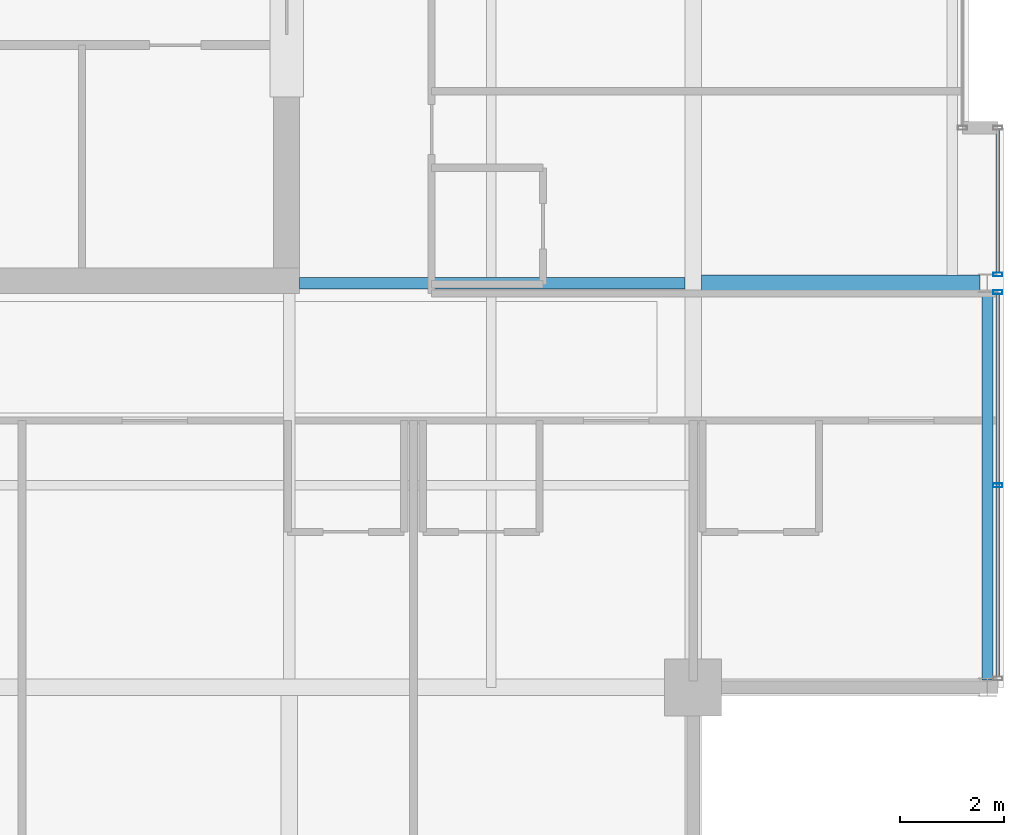
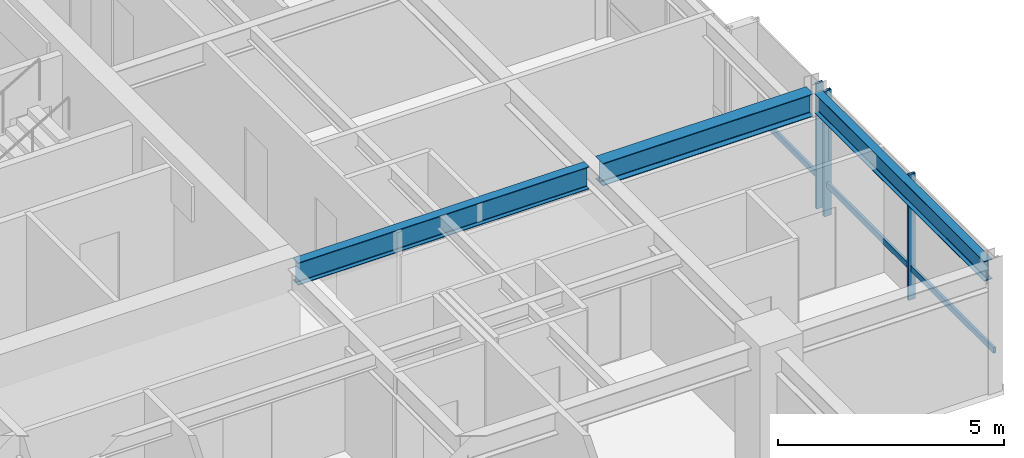
# One storey, part 17 of 34: 5 members, 3 beams, 2 elements without a shape of their own.
"""IFC4 building model written with IfcOpenShell, lengths in metres."""

from ifc_helpers import new_model, si_unit, direction, frame, origin, origin_2d, place, context, subcontext, project, spatial, hollow_rectangle, i_section, extrude, material, layer, layer_set, material_profile, profile_set, type_object, element, aggregate, save


model = new_model("IFC4")

# Units and contexts
model_context = context("Model", 3, precision=1e-05, world=origin(), true_north=direction((0.0, 1.0)))
body_context = subcontext(model_context, "Body", "Model", "MODEL_VIEW")
ifc_project = project(units=[si_unit("LENGTHUNIT", "METRE"), si_unit("AREAUNIT", "SQUARE_METRE"), si_unit("VOLUMEUNIT", "CUBIC_METRE"), si_unit("PLANEANGLEUNIT", "RADIAN"), si_unit("MASSUNIT", "GRAM", prefix="KILO")], contexts=[model_context])

# Site, building, storey
site_placement = place(None, origin())
site = spatial("IfcSite", under=ifc_project, at=site_placement, CompositionType="ELEMENT")
building_placement = place(site_placement, origin())
building = spatial("IfcBuilding", under=site, at=building_placement, Name="Drelvath Grand Hotel", CompositionType="ELEMENT")
storey_placement = place(building_placement, frame((0.0, 0.0, 272.300048828125)))
storey = spatial("IfcBuildingStorey", under=building, at=storey_placement, Name="L71", CompositionType="ELEMENT", Elevation=272.300048828125)

# Curtain wall, member
ifc_material_1 = material(Name="Platinum-Mist Anodised Aluminium Frame", Category="aluminium")
ifc_layer = layer(ifc_material_1, 0.199951171875)
ifc_layer_set = layer_set([ifc_layer], Name="Platinum-Mist Anodised Aluminium Frame")
curtain_wall_type = type_object("IfcCurtainWallType", Name="Stick Curtain Wall CW-05 Platinum Mist High-Rise", PredefinedType="NOTDEFINED", material=ifc_layer_set)
curtain_wall_1_placement = place(storey_placement, origin())
curtain_wall_1 = element("IfcCurtainWall", 1, at=curtain_wall_1_placement, inside=storey, type_object=curtain_wall_type, Name="L71 CW-05 Curtain Wall CW05-L71-ES1", PredefinedType="NOTDEFINED")
ifc_material_profile_1 = material_profile(ifc_material_1, hollow_rectangle(XDim=0.06494140625, YDim=0.159912109375, WallThickness=0.00390625, at=origin_2d()), Name="HSS160X65X4")
ifc_profile_set_1 = profile_set([ifc_material_profile_1], Name="Platinum-Mist Anodised Aluminium Frame")
member_type_1 = type_object("IfcMemberType", Name="Curtain Wall Horizontal Transom CW-05 HSS160X65X4", PredefinedType="USERDEFINED", material=ifc_profile_set_1)
member_1_placement = place(storey_placement, frame((22.080078125, 18.389892578125, 0.847412109375), z_axis=(0.0, -1.0, 0.0), x_axis=(1.0, 0.0, 0.0)))
member_1 = element("IfcMember", 2, at=member_1_placement, type_object=member_type_1, Name="CW05-L71-ES1 Sill Transom", ObjectType="TRANSOM", PredefinedType="USERDEFINED", context=body_context, shape_type="SweptSolid", body=[
    extrude(hollow_rectangle(XDim=0.06494140625, YDim=0.159912109375, WallThickness=0.00390625, at=origin_2d()), origin(), (0.0, 0.0, 1.0), 7.3798828125),
])

curtain_wall_2_placement = place(storey_placement, origin())
curtain_wall_2 = element("IfcCurtainWall", 3, at=curtain_wall_2_placement, inside=storey, type_object=curtain_wall_type, Name="L71 CW-05 Curtain Wall CW05-L71-ES2", PredefinedType="NOTDEFINED")
member_2_placement = place(storey_placement, frame((22.080078125, 21.56005859375, 0.847412109375), z_axis=(0.0, -1.0, 0.0), x_axis=(1.0, 0.0, 0.0)))
member_2 = element("IfcMember", 4, at=member_2_placement, type_object=member_type_1, Name="CW05-L71-ES2 Sill Transom", ObjectType="TRANSOM", PredefinedType="USERDEFINED", context=body_context, shape_type="SweptSolid", body=[
    extrude(hollow_rectangle(XDim=0.06494140625, YDim=0.159912109375, WallThickness=0.00390625, at=origin_2d()), origin(), (0.0, 0.0, 1.0), 2.75),
])

# Member
ifc_material_profile_2 = material_profile(ifc_material_1, hollow_rectangle(XDim=0.074951171875, YDim=0.179931640625, WallThickness=0.0048828125, at=origin_2d()), Name="HSS180X75X5")
ifc_profile_set_2 = profile_set([ifc_material_profile_2], Name="Platinum-Mist Anodised Aluminium Frame")
member_type_2 = type_object("IfcMemberType", Name="Curtain Wall Vertical Mullion CW-05 HSS180X75X5", PredefinedType="MULLION", material=ifc_profile_set_2)
member_3_placement = place(storey_placement, frame((22.080078125, 18.429931640625, 0.0), z_axis=(0.0, 0.0, 1.0), x_axis=(0.0, 1.0, 0.0)))
member_3 = element("IfcMember", 5, at=member_3_placement, type_object=member_type_2, Name="CW05-L71-ES1 Mullion 1", PredefinedType="MULLION", context=body_context, shape_type="SweptSolid", body=[
    extrude(hollow_rectangle(XDim=0.074951171875, YDim=0.179931640625, WallThickness=0.0048828125, at=origin_2d()), origin(), (0.0, 0.0, 1.0), 3.389892578125),
])

member_4_placement = place(storey_placement, frame((22.080078125, 14.7001953125, 0.0), z_axis=(0.0, 0.0, 1.0), x_axis=(0.0, 1.0, 0.0)))
member_4 = element("IfcMember", 6, at=member_4_placement, type_object=member_type_2, Name="CW05-L71-ES1 Mullion 2", PredefinedType="MULLION", context=body_context, shape_type="SweptSolid", body=[
    extrude(hollow_rectangle(XDim=0.074951171875, YDim=0.179931640625, WallThickness=0.0048828125, at=origin_2d()), origin(), (0.0, 0.0, 1.0), 3.389892578125),
])

aggregate(curtain_wall_1, [member_3, member_4, member_1])

member_5_placement = place(storey_placement, frame((22.080078125, 18.77001953125, 0.0), z_axis=(0.0, 0.0, 1.0), x_axis=(0.0, 1.0, 0.0)))
member_5 = element("IfcMember", 7, at=member_5_placement, type_object=member_type_2, Name="CW05-L71-ES2 Mullion 2", PredefinedType="MULLION", context=body_context, shape_type="SweptSolid", body=[
    extrude(hollow_rectangle(XDim=0.074951171875, YDim=0.179931640625, WallThickness=0.0048828125, at=origin_2d()), origin(), (0.0, 0.0, 1.0), 3.389892578125),
])

aggregate(curtain_wall_2, [member_5, member_2])

# Beams
ifc_material_2 = material(Name="Steel ASTM A992 Gr 50", Category="steel")
ifc_material_profile_3 = material_profile(ifc_material_2, i_section(OverallWidth=0.210205078125, OverallDepth=0.53662109375, WebThickness=0.010986328125, FlangeThickness=0.017333984375, FilletRadius=0.01806640625, at=origin_2d()), Name="W21X68")
ifc_profile_set_3 = profile_set([ifc_material_profile_3], Name="Steel ASTM A992 Gr 50")
beam_type_1 = type_object("IfcBeamType", Name="Perimeter Spandrel Beam W21X68", PredefinedType="SPANDREL", material=ifc_profile_set_3)
beam_1_placement = place(storey_placement, frame((21.8798828125, 10.93994140625, 3.12158203125), z_axis=(0.0, 1.0, 0.0), x_axis=(-1.0, 0.0, 0.0)))
element("IfcBeam", 8, at=beam_1_placement, inside=storey, type_object=beam_type_1, Name="L71 Spandrel East S", PredefinedType="SPANDREL", context=body_context, shape_type="SweptSolid", body=[
    extrude(i_section(OverallWidth=0.210205078125, OverallDepth=0.53662109375, WebThickness=0.010986328125, FlangeThickness=0.017333984375, FilletRadius=0.01806640625, at=origin_2d()), origin(), (0.0, 0.0, 1.0), 7.52001953125),
])
ifc_material_profile_4 = material_profile(ifc_material_2, i_section(OverallWidth=0.323974609375, OverallDepth=0.611083984375, WebThickness=0.0126953125, FlangeThickness=0.01904296875, FilletRadius=0.02197265625, at=origin_2d()), Name="W24X104")
ifc_profile_set_4 = profile_set([ifc_material_profile_4], Name="Steel ASTM A992 Gr 50")
beam_type_2 = type_object("IfcBeamType", Name="Primary Floor Girder W24X104", PredefinedType="BEAM", material=ifc_profile_set_4)
beam_2_placement = place(storey_placement, frame((16.362060546875, 18.60009765625, 3.08447265625), z_axis=(1.0, 0.0, 0.0), x_axis=(0.0, 1.0, 0.0)))
element("IfcBeam", 9, at=beam_2_placement, inside=storey, type_object=beam_type_2, Name="L71 East Wing Girder D", PredefinedType="BEAM", context=body_context, shape_type="SweptSolid", body=[
    extrude(i_section(OverallWidth=0.323974609375, OverallDepth=0.611083984375, WebThickness=0.0126953125, FlangeThickness=0.01904296875, FilletRadius=0.02197265625, at=origin_2d()), origin(), (0.0, 0.0, 1.0), 5.3779296875),
])
ifc_material_profile_5 = material_profile(ifc_material_2, i_section(OverallWidth=0.228271484375, OverallDepth=0.607666015625, WebThickness=0.01123046875, FlangeThickness=0.017333984375, FilletRadius=0.02001953125, at=origin_2d()), Name="W24X76")
ifc_profile_set_5 = profile_set([ifc_material_profile_5], Name="Steel ASTM A992 Gr 50")
beam_type_3 = type_object("IfcBeamType", Name="Primary Floor Girder W24X76", PredefinedType="BEAM", material=ifc_profile_set_5)
beam_3_placement = place(storey_placement, frame((8.60009765625, 18.60009765625, 3.086181640625), z_axis=(1.0, 0.0, 0.0), x_axis=(0.0, 1.0, 0.0)))
element("IfcBeam", 10, at=beam_3_placement, inside=storey, type_object=beam_type_3, Name="L71 East Core Tie D", PredefinedType="BEAM", context=body_context, shape_type="SweptSolid", body=[
    extrude(i_section(OverallWidth=0.228271484375, OverallDepth=0.607666015625, WebThickness=0.01123046875, FlangeThickness=0.017333984375, FilletRadius=0.02001953125, at=origin_2d()), origin(), (0.0, 0.0, 1.0), 7.43798828125),
])

save(model, "model.ifc")
